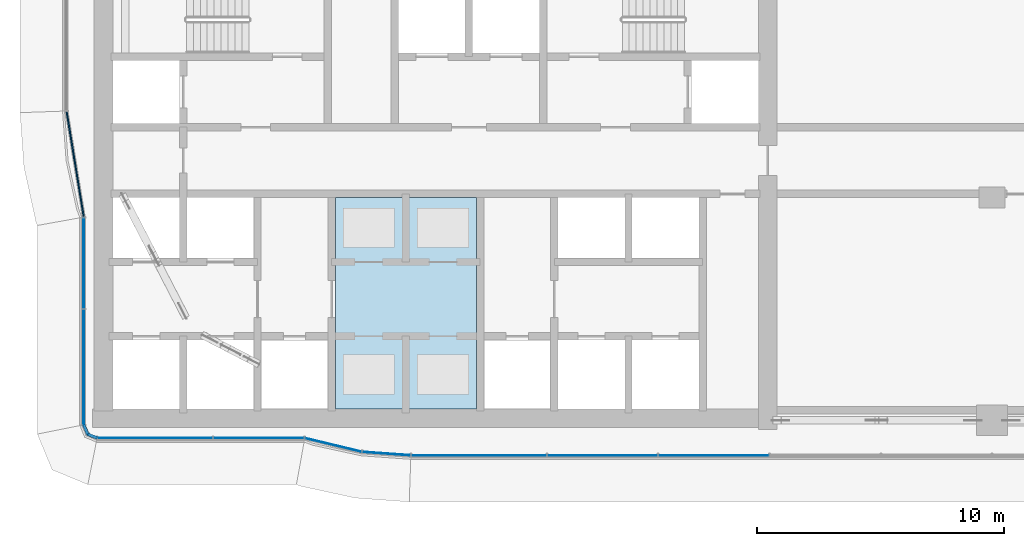
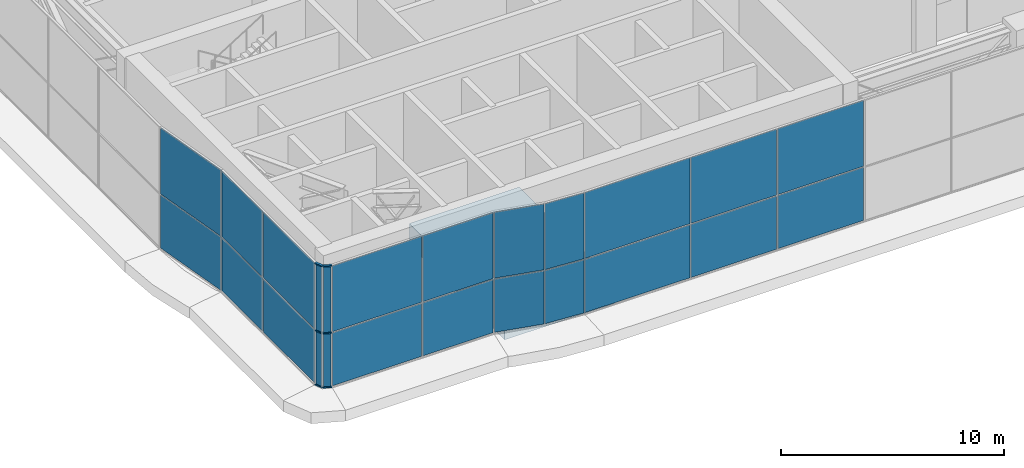
# One storey, part 13 of 35: 24 plates, 6 members, 1 slab, 6 elements without a shape of their own.
"""IFC4 building model written with IfcOpenShell, lengths in metres."""

from ifc_helpers import new_model, si_unit, direction, frame, origin, origin_2d, place, context, subcontext, project, spatial, polyline, rectangle, outline, extrude, material, layer, layer_set, material_profile, profile_set, type_object, element, aggregate, save


model = new_model("IFC4")

# Units and contexts
model_context = context("Model", 3, precision=1e-05, world=origin(), true_north=direction((0.0, 1.0)))
body_context = subcontext(model_context, "Body", "Model", "MODEL_VIEW")
ifc_project = project(units=[si_unit("LENGTHUNIT", "METRE"), si_unit("AREAUNIT", "SQUARE_METRE"), si_unit("VOLUMEUNIT", "CUBIC_METRE"), si_unit("PLANEANGLEUNIT", "RADIAN"), si_unit("MASSUNIT", "GRAM", prefix="KILO")], contexts=[model_context])

# Site, building, storey
site_placement = place(None, origin())
site = spatial("IfcSite", under=ifc_project, at=site_placement, CompositionType="ELEMENT")
building_placement = place(site_placement, origin())
building = spatial("IfcBuilding", under=site, at=building_placement, Name="Ogive Portal Towers", CompositionType="ELEMENT")
storey_placement = place(building_placement, frame((0.0, 0.0, 135.199951171875)))
storey = spatial("IfcBuildingStorey", under=building, at=storey_placement, Name="L33", CompositionType="ELEMENT", Elevation=135.199951171875)

# Curtain wall, members
ifc_material_1 = material(Name="Glass, clear low-iron insulated glazing", Category="glass")
curtain_wall_type = type_object("IfcCurtainWallType", Name="CW OBSERVATION WALL", PredefinedType="NOTDEFINED", material=ifc_material_1)
curtain_wall_1_placement = place(storey_placement, origin())
curtain_wall_1 = element("IfcCurtainWall", 1, at=curtain_wall_1_placement, inside=storey, type_object=curtain_wall_type, Name="A:L33:f01:cwa", PredefinedType="NOTDEFINED")
ifc_material_2 = material(Name="Aluminium 6063 anodised", Category="aluminium")
ifc_material_profile = material_profile(ifc_material_2, rectangle(XDim=0.1201171875, YDim=0.06005859375, at=origin_2d()), Name="AL 120x60")
ifc_profile_set = profile_set([ifc_material_profile], Name="Aluminium 6063 anodised")
member_type = type_object("IfcMemberType", Name="CW TRANSOM 60x120", PredefinedType="USERDEFINED", material=ifc_profile_set)
member_1_placement = place(storey_placement, frame((30.780029296875, 21.31591796875, 0.030029296875), z_axis=(0.382754843841, -0.923849949676, 0.0), x_axis=(0.923849949676, 0.382754843841, 0.0)))
member_1 = element("IfcMember", 2, at=member_1_placement, type_object=member_type, Name="transom", ObjectType="TRANSOM", PredefinedType="USERDEFINED", context=body_context, shape_type="SweptSolid", body=[
    extrude(rectangle(XDim=0.1201171875, YDim=0.06005859375, at=origin_2d()), origin(), (0.0, 0.0, 1.0), 0.41015625),
])
member_2_placement = place(storey_placement, frame((30.780029296875, 21.31591796875, 3.0), z_axis=(0.382754843841, -0.923849949676, 0.0), x_axis=(0.923849949676, 0.382754843841, 0.0)))
member_2 = element("IfcMember", 3, at=member_2_placement, type_object=member_type, Name="transom", ObjectType="TRANSOM", PredefinedType="USERDEFINED", context=body_context, shape_type="SweptSolid", body=[
    extrude(rectangle(XDim=0.1201171875, YDim=0.06005859375, at=origin_2d()), origin(), (0.0, 0.0, 1.0), 0.41015625),
])
member_3_placement = place(storey_placement, frame((30.780029296875, 21.31591796875, 6.670166015625), z_axis=(0.382754843841, -0.923849949676, 0.0), x_axis=(0.923849949676, 0.382754843841, 0.0)))
member_3 = element("IfcMember", 4, at=member_3_placement, type_object=member_type, Name="transom", ObjectType="TRANSOM", PredefinedType="USERDEFINED", context=body_context, shape_type="SweptSolid", body=[
    extrude(rectangle(XDim=0.1201171875, YDim=0.06005859375, at=origin_2d()), origin(), (0.0, 0.0, 1.0), 0.41015625),
])
member_4_placement = place(storey_placement, frame((30.93701171875, 20.93701171875, 0.030029296875), z_axis=(0.923849949676, -0.382754843841, 0.0), x_axis=(0.382754843841, 0.923849949676, 0.0)))
member_4 = element("IfcMember", 5, at=member_4_placement, type_object=member_type, Name="transom", ObjectType="TRANSOM", PredefinedType="USERDEFINED", context=body_context, shape_type="SweptSolid", body=[
    extrude(rectangle(XDim=0.1201171875, YDim=0.06005859375, at=origin_2d()), origin(), (0.0, 0.0, 1.0), 0.41015625),
])
member_5_placement = place(storey_placement, frame((30.93701171875, 20.93701171875, 3.0), z_axis=(0.923849949676, -0.382754843841, 0.0), x_axis=(0.382754843841, 0.923849949676, 0.0)))
member_5 = element("IfcMember", 6, at=member_5_placement, type_object=member_type, Name="transom", ObjectType="TRANSOM", PredefinedType="USERDEFINED", context=body_context, shape_type="SweptSolid", body=[
    extrude(rectangle(XDim=0.1201171875, YDim=0.06005859375, at=origin_2d()), origin(), (0.0, 0.0, 1.0), 0.41015625),
])
member_6_placement = place(storey_placement, frame((30.93701171875, 20.93701171875, 6.670166015625), z_axis=(0.923849949676, -0.382754843841, 0.0), x_axis=(0.382754843841, 0.923849949676, 0.0)))
member_6 = element("IfcMember", 7, at=member_6_placement, type_object=member_type, Name="transom", ObjectType="TRANSOM", PredefinedType="USERDEFINED", context=body_context, shape_type="SweptSolid", body=[
    extrude(rectangle(XDim=0.1201171875, YDim=0.06005859375, at=origin_2d()), origin(), (0.0, 0.0, 1.0), 0.41015625),
])

# Curtain wall, plates
curtain_wall_2_placement = place(storey_placement, origin())
curtain_wall_2 = element("IfcCurtainWall", 8, at=curtain_wall_2_placement, inside=storey, type_object=curtain_wall_type, Name="A:L33:f00:cw0", PredefinedType="NOTDEFINED")
ifc_layer_1 = layer(ifc_material_1, 0.028076171875)
ifc_layer_set_1 = layer_set([ifc_layer_1], Name="CW PANEL IGU 28")
plate_type_1 = type_object("IfcPlateType", Name="CW PANEL IGU 28", PredefinedType="CURTAIN_PANEL", material=ifc_layer_set_1)
plate_1_placement = place(storey_placement, frame((30.780029296875, 27.85302734375, 0.06005859375), z_axis=(0.0, 0.0, 1.0), x_axis=(0.0, -1.0, 0.0)))
plate_1 = element("IfcPlate", 9, at=plate_1_placement, type_object=plate_type_1, Name="panel", PredefinedType="CURTAIN_PANEL", context=body_context, shape_type="SweptSolid", body=[
    extrude(rectangle(XDim=3.64599609375, YDim=0.028076171875, at=origin_2d()), origin(), (0.0, 0.0, 1.0), 2.909912109375),
])
plate_2_placement = place(storey_placement, frame((30.780029296875, 27.85302734375, 3.02978515625), z_axis=(0.0, 0.0, 1.0), x_axis=(0.0, -1.0, 0.0)))
plate_2 = element("IfcPlate", 10, at=plate_2_placement, type_object=plate_type_1, Name="panel", PredefinedType="CURTAIN_PANEL", context=body_context, shape_type="SweptSolid", body=[
    extrude(rectangle(XDim=3.64599609375, YDim=0.028076171875, at=origin_2d()), origin(), (0.0, 0.0, 1.0), 3.610107421875),
])
plate_3_placement = place(storey_placement, frame((30.780029296875, 23.657958984375, 0.06005859375), z_axis=(0.0, 0.0, 1.0), x_axis=(0.0, -1.0, 0.0)))
plate_3 = element("IfcPlate", 11, at=plate_3_placement, type_object=plate_type_1, Name="panel", PredefinedType="CURTAIN_PANEL", context=body_context, shape_type="SweptSolid", body=[
    extrude(rectangle(XDim=4.6240234375, YDim=0.028076171875, at=origin_2d()), origin(), (0.0, 0.0, 1.0), 2.909912109375),
])
plate_4_placement = place(storey_placement, frame((30.780029296875, 23.657958984375, 3.02978515625), z_axis=(0.0, 0.0, 1.0), x_axis=(0.0, -1.0, 0.0)))
plate_4 = element("IfcPlate", 12, at=plate_4_placement, type_object=plate_type_1, Name="panel", PredefinedType="CURTAIN_PANEL", context=body_context, shape_type="SweptSolid", body=[
    extrude(rectangle(XDim=4.6240234375, YDim=0.028076171875, at=origin_2d()), origin(), (0.0, 0.0, 1.0), 3.610107421875),
])
aggregate(curtain_wall_2, [plate_1, plate_2, plate_3, plate_4])

curtain_wall_3_placement = place(storey_placement, origin())
curtain_wall_3 = element("IfcCurtainWall", 13, at=curtain_wall_3_placement, inside=storey, type_object=curtain_wall_type, Name="A:L33:f03:cw0", PredefinedType="NOTDEFINED")
plate_5_placement = place(storey_placement, frame((33.657958984375, 20.780029296875, 0.06005859375), z_axis=(0.0, 0.0, 1.0), x_axis=(1.0, 0.0, 0.0)))
plate_5 = element("IfcPlate", 14, at=plate_5_placement, type_object=plate_type_1, Name="panel", PredefinedType="CURTAIN_PANEL", context=body_context, shape_type="SweptSolid", body=[
    extrude(rectangle(XDim=4.6240234375, YDim=0.028076171875, at=origin_2d()), origin(), (0.0, 0.0, 1.0), 2.909912109375),
])
plate_6_placement = place(storey_placement, frame((33.657958984375, 20.780029296875, 3.02978515625), z_axis=(0.0, 0.0, 1.0), x_axis=(1.0, 0.0, 0.0)))
plate_6 = element("IfcPlate", 15, at=plate_6_placement, type_object=plate_type_1, Name="panel", PredefinedType="CURTAIN_PANEL", context=body_context, shape_type="SweptSolid", body=[
    extrude(rectangle(XDim=4.6240234375, YDim=0.028076171875, at=origin_2d()), origin(), (0.0, 0.0, 1.0), 3.610107421875),
])
plate_7_placement = place(storey_placement, frame((37.8544921875, 20.780029296875, 0.06005859375), z_axis=(0.0, 0.0, 1.0), x_axis=(1.0, 0.0, 0.0)))
plate_7 = element("IfcPlate", 16, at=plate_7_placement, type_object=plate_type_1, Name="panel", PredefinedType="CURTAIN_PANEL", context=body_context, shape_type="SweptSolid", body=[
    extrude(rectangle(XDim=3.64892578125, YDim=0.028076171875, at=origin_2d()), origin(), (0.0, 0.0, 1.0), 2.909912109375),
])
plate_8_placement = place(storey_placement, frame((37.8544921875, 20.780029296875, 3.02978515625), z_axis=(0.0, 0.0, 1.0), x_axis=(1.0, 0.0, 0.0)))
plate_8 = element("IfcPlate", 17, at=plate_8_placement, type_object=plate_type_1, Name="panel", PredefinedType="CURTAIN_PANEL", context=body_context, shape_type="SweptSolid", body=[
    extrude(rectangle(XDim=3.64892578125, YDim=0.028076171875, at=origin_2d()), origin(), (0.0, 0.0, 1.0), 3.610107421875),
])
aggregate(curtain_wall_3, [plate_5, plate_6, plate_7, plate_8])

curtain_wall_4_placement = place(storey_placement, origin())
curtain_wall_4 = element("IfcCurtainWall", 18, at=curtain_wall_4_placement, inside=storey, type_object=curtain_wall_type, Name="A:L33:f06:cw0", PredefinedType="NOTDEFINED")
plate_9_placement = place(storey_placement, frame((46.75146484375, 20.080078125, 0.06005859375), z_axis=(0.0, 0.0, 1.0), x_axis=(1.0, 0.0, 0.0)))
plate_9 = element("IfcPlate", 19, at=plate_9_placement, type_object=plate_type_1, Name="panel", PredefinedType="CURTAIN_PANEL", context=body_context, shape_type="SweptSolid", body=[
    extrude(rectangle(XDim=5.437255859375, YDim=0.028076171875, at=origin_2d()), origin(), (0.0, 0.0, 1.0), 2.909912109375),
])
plate_10_placement = place(storey_placement, frame((46.75146484375, 20.080078125, 3.02978515625), z_axis=(0.0, 0.0, 1.0), x_axis=(1.0, 0.0, 0.0)))
plate_10 = element("IfcPlate", 20, at=plate_10_placement, type_object=plate_type_1, Name="panel", PredefinedType="CURTAIN_PANEL", context=body_context, shape_type="SweptSolid", body=[
    extrude(rectangle(XDim=5.437255859375, YDim=0.028076171875, at=origin_2d()), origin(), (0.0, 0.0, 1.0), 3.610107421875),
])
plate_11_placement = place(storey_placement, frame((51.75, 20.080078125, 0.06005859375), z_axis=(0.0, 0.0, 1.0), x_axis=(1.0, 0.0, 0.0)))
plate_11 = element("IfcPlate", 21, at=plate_11_placement, type_object=plate_type_1, Name="panel", PredefinedType="CURTAIN_PANEL", context=body_context, shape_type="SweptSolid", body=[
    extrude(rectangle(XDim=4.43994140625, YDim=0.028076171875, at=origin_2d()), origin(), (0.0, 0.0, 1.0), 2.909912109375),
])
plate_12_placement = place(storey_placement, frame((51.75, 20.080078125, 3.02978515625), z_axis=(0.0, 0.0, 1.0), x_axis=(1.0, 0.0, 0.0)))
plate_12 = element("IfcPlate", 22, at=plate_12_placement, type_object=plate_type_1, Name="panel", PredefinedType="CURTAIN_PANEL", context=body_context, shape_type="SweptSolid", body=[
    extrude(rectangle(XDim=4.43994140625, YDim=0.028076171875, at=origin_2d()), origin(), (0.0, 0.0, 1.0), 3.610107421875),
])
plate_13_placement = place(storey_placement, frame((56.25, 20.080078125, 0.06005859375), z_axis=(0.0, 0.0, 1.0), x_axis=(1.0, 0.0, 0.0)))
plate_13 = element("IfcPlate", 23, at=plate_13_placement, type_object=plate_type_1, Name="panel", PredefinedType="CURTAIN_PANEL", context=body_context, shape_type="SweptSolid", body=[
    extrude(rectangle(XDim=4.43994140625, YDim=0.028076171875, at=origin_2d()), origin(), (0.0, 0.0, 1.0), 2.909912109375),
])
plate_14_placement = place(storey_placement, frame((56.25, 20.080078125, 3.02978515625), z_axis=(0.0, 0.0, 1.0), x_axis=(1.0, 0.0, 0.0)))
plate_14 = element("IfcPlate", 24, at=plate_14_placement, type_object=plate_type_1, Name="panel", PredefinedType="CURTAIN_PANEL", context=body_context, shape_type="SweptSolid", body=[
    extrude(rectangle(XDim=4.43994140625, YDim=0.028076171875, at=origin_2d()), origin(), (0.0, 0.0, 1.0), 3.610107421875),
])
aggregate(curtain_wall_4, [plate_9, plate_10, plate_11, plate_12, plate_13, plate_14])

# Plate
plate_15_placement = place(storey_placement, frame((30.8583984375, 21.12646484375, 0.06005859375), z_axis=(0.0, 0.0, 1.0), x_axis=(0.382683432365, -0.923879532511, 0.0)))
plate_15 = element("IfcPlate", 25, at=plate_15_placement, type_object=plate_type_1, Name="panel", PredefinedType="CURTAIN_PANEL", context=body_context, shape_type="SweptSolid", body=[
    extrude(rectangle(XDim=0.35009765625, YDim=0.028076171875, at=origin_2d()), origin(), (0.0, 0.0, 1.0), 2.909912109375),
])

plate_16_placement = place(storey_placement, frame((30.8583984375, 21.12646484375, 3.02978515625), z_axis=(0.0, 0.0, 1.0), x_axis=(0.382683432365, -0.923879532511, 0.0)))
plate_16 = element("IfcPlate", 26, at=plate_16_placement, type_object=plate_type_1, Name="panel", PredefinedType="CURTAIN_PANEL", context=body_context, shape_type="SweptSolid", body=[
    extrude(rectangle(XDim=0.35009765625, YDim=0.028076171875, at=origin_2d()), origin(), (0.0, 0.0, 1.0), 3.610107421875),
])

plate_17_placement = place(storey_placement, frame((31.12646484375, 20.8583984375, 0.06005859375), z_axis=(0.0, 0.0, 1.0), x_axis=(0.923879532511, -0.382683432365, 0.0)))
plate_17 = element("IfcPlate", 27, at=plate_17_placement, type_object=plate_type_1, Name="panel", PredefinedType="CURTAIN_PANEL", context=body_context, shape_type="SweptSolid", body=[
    extrude(rectangle(XDim=0.35009765625, YDim=0.028076171875, at=origin_2d()), origin(), (0.0, 0.0, 1.0), 2.909912109375),
])

plate_18_placement = place(storey_placement, frame((31.12646484375, 20.8583984375, 3.02978515625), z_axis=(0.0, 0.0, 1.0), x_axis=(0.923879532511, -0.382683432365, 0.0)))
plate_18 = element("IfcPlate", 28, at=plate_18_placement, type_object=plate_type_1, Name="panel", PredefinedType="CURTAIN_PANEL", context=body_context, shape_type="SweptSolid", body=[
    extrude(rectangle(XDim=0.35009765625, YDim=0.028076171875, at=origin_2d()), origin(), (0.0, 0.0, 1.0), 3.610107421875),
])

aggregate(curtain_wall_1, [member_1, member_2, member_3, member_4, member_5, member_6, plate_15, plate_16, plate_17, plate_18])

# Curtain wall, plates
curtain_wall_5_placement = place(storey_placement, origin())
curtain_wall_5 = element("IfcCurtainWall", 29, at=curtain_wall_5_placement, inside=storey, type_object=curtain_wall_type, Name="A:L33:f04:cwa", PredefinedType="NOTDEFINED")
plate_19_placement = place(storey_placement, frame((40.864501953125, 20.5009765625, 0.06005859375), z_axis=(0.0, 0.0, 1.0), x_axis=(0.972048056714, -0.234781974263, 0.0)))
plate_19 = element("IfcPlate", 30, at=plate_19_placement, type_object=plate_type_1, Name="panel", PredefinedType="CURTAIN_PANEL", context=body_context, shape_type="SweptSolid", body=[
    extrude(rectangle(XDim=2.3173828125, YDim=0.028076171875, at=origin_2d()), origin(), (0.0, 0.0, 1.0), 2.909912109375),
])
plate_20_placement = place(storey_placement, frame((40.864501953125, 20.5009765625, 3.02978515625), z_axis=(0.0, 0.0, 1.0), x_axis=(0.972048056714, -0.234781974263, 0.0)))
plate_20 = element("IfcPlate", 31, at=plate_20_placement, type_object=plate_type_1, Name="panel", PredefinedType="CURTAIN_PANEL", context=body_context, shape_type="SweptSolid", body=[
    extrude(rectangle(XDim=2.3173828125, YDim=0.028076171875, at=origin_2d()), origin(), (0.0, 0.0, 1.0), 3.610107421875),
])
plate_21_placement = place(storey_placement, frame((43.011474609375, 20.15087890625, 0.06005859375), z_axis=(0.0, 0.0, 1.0), x_axis=(0.99745211461, -0.071339183201, 0.0)))
plate_21 = element("IfcPlate", 32, at=plate_21_placement, type_object=plate_type_1, Name="panel", PredefinedType="CURTAIN_PANEL", context=body_context, shape_type="SweptSolid", body=[
    extrude(rectangle(XDim=1.927978515625, YDim=0.028076171875, at=origin_2d()), origin(), (0.0, 0.0, 1.0), 2.909912109375),
])
plate_22_placement = place(storey_placement, frame((43.011474609375, 20.15087890625, 3.02978515625), z_axis=(0.0, 0.0, 1.0), x_axis=(0.99745211461, -0.071339183201, 0.0)))
plate_22 = element("IfcPlate", 33, at=plate_22_placement, type_object=plate_type_1, Name="panel", PredefinedType="CURTAIN_PANEL", context=body_context, shape_type="SweptSolid", body=[
    extrude(rectangle(XDim=1.927978515625, YDim=0.028076171875, at=origin_2d()), origin(), (0.0, 0.0, 1.0), 3.610107421875),
])
aggregate(curtain_wall_5, [plate_19, plate_20, plate_21, plate_22])

curtain_wall_6_placement = place(storey_placement, origin())
curtain_wall_6 = element("IfcCurtainWall", 34, at=curtain_wall_6_placement, inside=storey, type_object=curtain_wall_type, Name="A:L33:f25:cwa", PredefinedType="NOTDEFINED")
ifc_material_3 = material(Name="Aluminium composite spandrel panel, insulated", Category="aluminium")
ifc_layer_2 = layer(ifc_material_3, 0.06005859375)
ifc_layer_set_2 = layer_set([ifc_layer_2], Name="CW PANEL SPANDREL 60")
plate_type_2 = type_object("IfcPlateType", Name="CW PANEL SPANDREL 60", PredefinedType="CURTAIN_PANEL", material=ifc_layer_set_2)
plate_23_placement = place(storey_placement, frame((30.429931640625, 31.856201171875, 0.06005859375), z_axis=(0.0, 0.0, 1.0), x_axis=(0.160654533408, -0.987010699484, 0.0)))
plate_23 = element("IfcPlate", 35, at=plate_23_placement, type_object=plate_type_2, Name="spandrel panel", PredefinedType="CURTAIN_PANEL", context=body_context, shape_type="SweptSolid", body=[
    extrude(rectangle(XDim=4.297119140625, YDim=0.06005859375, at=origin_2d()), origin(), (0.0, 0.0, 1.0), 2.909912109375),
])
plate_24_placement = place(storey_placement, frame((30.429931640625, 31.856201171875, 3.02978515625), z_axis=(0.0, 0.0, 1.0), x_axis=(0.160654533408, -0.987010699484, 0.0)))
plate_24 = element("IfcPlate", 36, at=plate_24_placement, type_object=plate_type_2, Name="spandrel panel", PredefinedType="CURTAIN_PANEL", context=body_context, shape_type="SweptSolid", body=[
    extrude(rectangle(XDim=4.297119140625, YDim=0.06005859375, at=origin_2d()), origin(), (0.0, 0.0, 1.0), 3.610107421875),
])
aggregate(curtain_wall_6, [plate_23, plate_24])

# Slab
ifc_material_4 = material(Name="Concrete C60/75", Category="concrete")
ifc_layer_3 = layer(ifc_material_4, 1.199951171875)
ifc_layer_set_3 = layer_set([ifc_layer_3], Name="LIFT PIT PAD 1200")
slab_type = type_object("IfcSlabType", Name="LIFT PIT PAD 1200", PredefinedType="FLOOR", material=ifc_layer_set_3)
slab_placement = place(storey_placement, frame((0.0, 0.0, -1.5)))
element("IfcSlab", 37, at=slab_placement, inside=storey, type_object=slab_type, Name="Floor slab L33", PredefinedType="FLOOR", context=body_context, shape_type="SweptSolid", body=[
    extrude(outline(polyline([(46.64990234375, 21.949951171875), (46.64990234375, 30.5), (40.949951171875, 30.5), (40.949951171875, 21.949951171875), (46.64990234375, 21.949951171875)])), origin(), (0.0, 0.0, 1.0), 1.199951171875),
])

save(model, "model.ifc")
